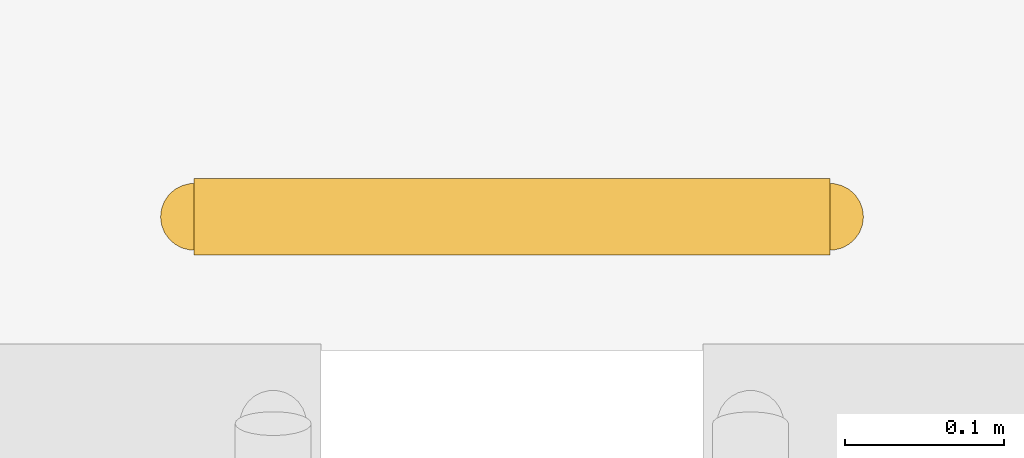
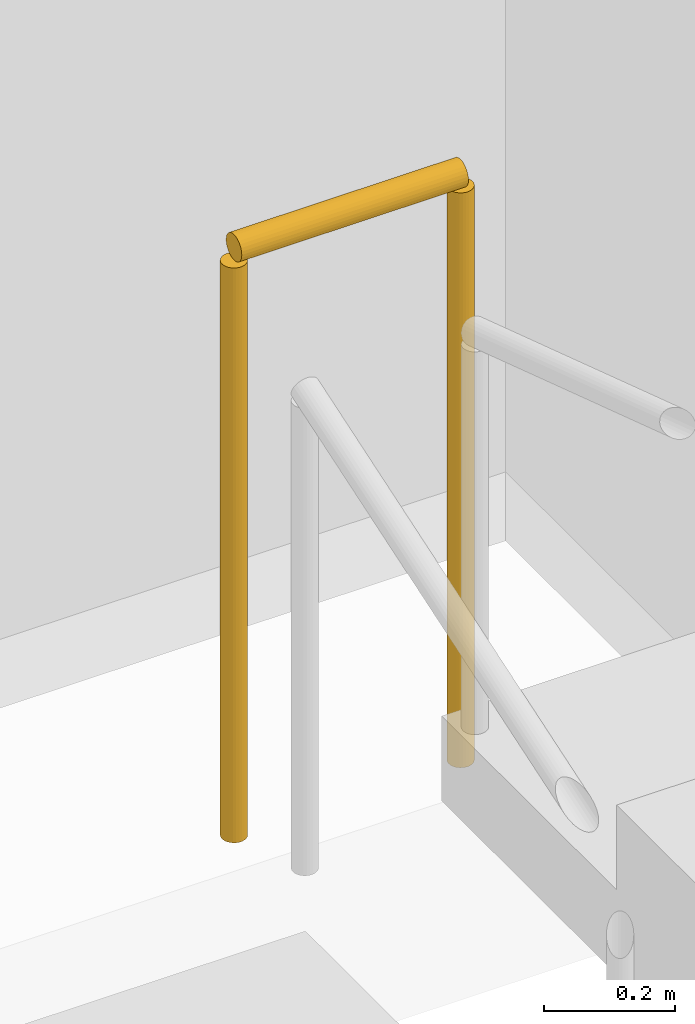
# One storey, part 21 of 21: 1 railing.
"""IFC4 building model written with IfcOpenShell, lengths in metres."""

import ifcopenshell
import ifcopenshell.guid

model = None  # the IFC model being written
_history = None  # IfcOwnerHistory: only IFC2X3 demands one
_inside = {}  # id of a spatial element -> (the spatial element, [elements in it])
_under = {}  # id of a project, library or spatial element -> (it, [spatial elements below it])
_declared = {}  # id of a project -> (the project, [libraries it declares])
_typed = {}  # id of a type object -> (the type object, [elements of that type])
_made_of = {}  # id of a material, layer set ... -> (it, [elements and type objects made of it])


def new_model(schema):
    """Start an empty IFC model of exactly this schema.

    Asked for "IFC4X3", IfcOpenShell would pick the latest addendum, in which some entities
    have other attributes; the version numbers below select the first issue.
    IFC2X3 requires an IfcOwnerHistory on every rooted entity: one is made here for all.
    """
    global model, _history
    if schema == "IFC4X3":
        model = ifcopenshell.file(schema_version=(4, 3, 0, 0))
    else:
        model = ifcopenshell.file(schema=schema)
    _inside.clear()
    _under.clear()
    _declared.clear()
    _typed.clear()
    _made_of.clear()
    _history = None
    if model.schema == "IFC2X3":
        org = make("IfcOrganization", Name="unknown")
        user = make(
            "IfcPersonAndOrganization",
            ThePerson=make("IfcPerson", FamilyName="unknown"),
            TheOrganization=org,
        )
        app = make(
            "IfcApplication",
            ApplicationDeveloper=org,
            Version="unknown",
            ApplicationFullName="unknown",
            ApplicationIdentifier="unknown",
        )
        _history = make(
            "IfcOwnerHistory",
            OwningUser=user,
            OwningApplication=app,
            ChangeAction="ADDED",
            CreationDate=0,
        )
    return model


def make(cls, **values):
    """One entity of the class cls with the attributes given. An attribute that is None is left unset."""
    return model.create_entity(
        cls, **{name: value for name, value in values.items() if value is not None}
    )


def rooted(cls, **values):
    """An entity with a GlobalId (a new one), such as an element, a storey or a relation."""
    return make(cls, GlobalId=ifcopenshell.guid.new(), OwnerHistory=_history, **values)


def si_unit(unit_type, name, prefix=None):
    """IfcSIUnit, for example si_unit("LENGTHUNIT", "METRE", prefix="MILLI")."""
    return make("IfcSIUnit", UnitType=unit_type, Prefix=prefix, Name=name)


def assignment(units):
    """IfcUnitAssignment: the units of a project."""
    return None if units is None else make("IfcUnitAssignment", Units=units)


def point(xyz):
    """IfcCartesianPoint."""
    return None if xyz is None else make("IfcCartesianPoint", Coordinates=xyz)


def direction(xyz):
    """IfcDirection."""
    return None if xyz is None else make("IfcDirection", DirectionRatios=xyz)


def frame(location, z_axis=None, x_axis=None):
    """IfcAxis2Placement3D, a coordinate frame: its origin and axes. An axis left out is left unset."""
    return make(
        "IfcAxis2Placement3D",
        Location=point(location),
        Axis=direction(z_axis),
        RefDirection=direction(x_axis),
    )


def frame_2d(location, x_axis=None):
    """IfcAxis2Placement2D, a coordinate frame in the plane: its origin and x axis."""
    return make(
        "IfcAxis2Placement2D", Location=point(location), RefDirection=direction(x_axis)
    )


def origin():
    """The frame at (0, 0, 0) with its axes left unset."""
    return frame((0.0, 0.0, 0.0))


def origin_2d():
    """The frame at (0, 0) in the plane with its x axis left unset."""
    return frame_2d((0.0, 0.0))


def place(relative_to, where):
    """IfcLocalPlacement: puts the frame where relative to a parent placement (None: the world)."""
    return make(
        "IfcLocalPlacement", PlacementRelTo=relative_to, RelativePlacement=where
    )


def context(
    kind, dimensions, precision=None, world=None, true_north=None, identifier=None
):
    """IfcGeometricRepresentationContext, for example the 3D "Model" context."""
    return make(
        "IfcGeometricRepresentationContext",
        ContextIdentifier=identifier,
        ContextType=kind,
        CoordinateSpaceDimension=dimensions,
        Precision=precision,
        WorldCoordinateSystem=world,
        TrueNorth=true_north,
    )


def subcontext(parent, identifier, kind, view, scale=None):
    """IfcGeometricRepresentationSubContext, for example "Body" below "Model"."""
    return make(
        "IfcGeometricRepresentationSubContext",
        ContextIdentifier=identifier,
        ContextType=kind,
        ParentContext=parent,
        TargetScale=scale,
        TargetView=view,
    )


def project(units=None, contexts=None):
    """IfcProject with its units and contexts."""
    return rooted(
        "IfcProject",
        Name="project",
        RepresentationContexts=contexts,
        UnitsInContext=assignment(units),
    )


def spatial(cls, under=None, at=None, **own):
    """A site, building, storey or space (cls), placed at a placement, below another one or the project."""
    s = rooted(cls, ObjectPlacement=at, **own)
    if under is not None:
        _under.setdefault(under.id(), (under, []))[1].append(s)
    return s


def profile(cls, at=None, kind="AREA", **sizes):
    """A parametric profile (cls). Its sizes go by their IFC names, for example OverallWidth=200.0."""
    return make(cls, ProfileType=kind, Position=at, **sizes)


def circle(**sizes):
    """IfcCircleProfileDef."""
    return profile("IfcCircleProfileDef", **sizes)


def extrude(swept, where, along, depth):
    """IfcExtrudedAreaSolid: the profile swept, set in the frame where, extruded along a direction by depth."""
    return make(
        "IfcExtrudedAreaSolid",
        SweptArea=swept,
        Position=where,
        ExtrudedDirection=direction(along),
        Depth=depth,
    )


def shape(context_of_items, identifier, shape_type, items):
    """IfcShapeRepresentation: the items that make up one representation, for example the "Body"."""
    return make(
        "IfcShapeRepresentation",
        ContextOfItems=context_of_items,
        RepresentationIdentifier=identifier,
        RepresentationType=shape_type,
        Items=items,
    )


def material(Name=None, Category=None):
    """IfcMaterial."""
    return make("IfcMaterial", Name=Name, Category=Category)


def layer(
    of_material, thickness, ventilated=None, Name=None, Category=None, Priority=None
):
    """IfcMaterialLayer: one layer of a wall or slab, of a material (None: an air gap)."""
    return make(
        "IfcMaterialLayer",
        Material=of_material,
        LayerThickness=thickness,
        IsVentilated=ventilated,
        Name=Name,
        Category=Category,
        Priority=Priority,
    )


def layer_set(layers, Name=None):
    """IfcMaterialLayerSet."""
    return make("IfcMaterialLayerSet", MaterialLayers=layers, LayerSetName=Name)


def made_of(thing, what):
    """Note that an element or type object is made of a material, layer set ...; save() writes the relation."""
    if what is not None:
        _made_of.setdefault(what.id(), (what, []))[1].append(thing)
    return thing


def type_object(cls, material=None, **own):
    """A type object (cls), such as IfcWallType, which elements share."""
    return made_of(rooted(cls, **own), material)


def element(
    cls,
    number,
    at=None,
    inside=None,
    cuts=None,
    type_object=None,
    material=None,
    context=None,
    identifier="Body",
    shape_type=None,
    held_by="IfcProductDefinitionShape",
    body=None,
    shapes=None,
    **own,
):
    """One element of the class cls, such as IfcWall. Its Tag is "e" and its number.

    at: its placement. inside: the storey or other place that contains it. cuts: it is an
    opening in that element (IfcRelVoidsElement). A single representation is given by context,
    identifier, shape_type and body (its items); several are given by shapes. held_by: the class
    of the entity that holds the representations. save() writes the other relations.
    """
    e = rooted(cls, Tag="e%d" % number, ObjectPlacement=at, **own)
    if body is not None:
        shapes = [shape(context, identifier, shape_type, body)]
    if shapes is not None:
        e.Representation = make(held_by, Representations=shapes)
    if inside is not None:
        _inside.setdefault(inside.id(), (inside, []))[1].append(e)
    if cuts is not None:
        rooted(
            "IfcRelVoidsElement", RelatingBuildingElement=cuts, RelatedOpeningElement=e
        )
    if type_object is not None:
        _typed.setdefault(type_object.id(), (type_object, []))[1].append(e)
    return made_of(e, material)


def aggregate(whole, parts):
    """IfcRelAggregates: a whole, such as a stair, and the parts it consists of."""
    return rooted("IfcRelAggregates", RelatingObject=whole, RelatedObjects=parts)


def save(model, path):
    """Write the relations noted so far, then the file.

    IfcRelAggregates (storeys below a building ...), IfcRelContainedInSpatialStructure (elements
    in a storey), IfcRelDefinesByType, IfcRelAssociatesMaterial and IfcRelDeclares: one each for
    every whole, place, type object, material and project.
    """
    for whole, parts in _under.values():
        aggregate(whole, parts)
    for where, things in _inside.values():
        rooted(
            "IfcRelContainedInSpatialStructure",
            RelatedElements=things,
            RelatingStructure=where,
        )
    for kind, things in _typed.values():
        rooted("IfcRelDefinesByType", RelatedObjects=things, RelatingType=kind)
    for what, things in _made_of.values():
        rooted("IfcRelAssociatesMaterial", RelatedObjects=things, RelatingMaterial=what)
    for by, libraries in _declared.values():
        rooted("IfcRelDeclares", RelatingContext=by, RelatedDefinitions=libraries)
    model.write(path)


model = new_model("IFC4")

# Units and contexts
model_context = context("Model", 3, precision=1e-05, world=origin(), true_north=direction((0.0, 1.0)))
body_context = subcontext(model_context, "Body", "Model", "MODEL_VIEW")
ifc_project = project(units=[si_unit("LENGTHUNIT", "METRE"), si_unit("AREAUNIT", "SQUARE_METRE"), si_unit("VOLUMEUNIT", "CUBIC_METRE"), si_unit("PLANEANGLEUNIT", "RADIAN"), si_unit("MASSUNIT", "GRAM", prefix="KILO")], contexts=[model_context])

# Site, building, storey
site_placement = place(None, origin())
site = spatial("IfcSite", under=ifc_project, at=site_placement, CompositionType="ELEMENT")
building_placement = place(site_placement, origin())
building = spatial("IfcBuilding", under=site, at=building_placement, Name="Girod Span Mobility Hub", CompositionType="ELEMENT")
storey_placement = place(building_placement, frame((0.0, 0.0, 17.199951171875)))
storey = spatial("IfcBuildingStorey", under=building, at=storey_placement, Name="L04", CompositionType="ELEMENT", Elevation=17.199951171875)

# Railing
ifc_material = material(Name="Painted Galvanised Steel", Category="steel")
ifc_layer = layer(ifc_material, 0.06494140625)
ifc_layer_set = layer_set([ifc_layer], Name="Painted Galvanised Steel")
railing_type = type_object("IfcRailingType", Name="RL-GRD-1120", PredefinedType="GUARDRAIL", material=ifc_layer_set)
railing_placement = place(storey_placement, frame((110.10009765625, 65.77001953125, 1.900146484375)))
element("IfcRailing", 1, at=railing_placement, inside=storey, type_object=railing_type, Name="Stair ST-2 Half-Landing Well Guard L04", PredefinedType="GUARDRAIL", context=body_context, shape_type="SweptSolid", body=[
    extrude(circle(Radius=0.02392578125, at=origin_2d()), frame((0.0, 0.0, 1.09619140625), z_axis=(1.0, 0.0, 0.0), x_axis=(0.0, 1.0, 0.0)), (0.0, 0.0, 1.0), 0.39990234375),
    extrude(circle(Radius=0.02099609375, at=origin_2d()), origin(), (0.0, 0.0, 1.0), 1.072021484375),
    extrude(circle(Radius=0.02099609375, at=origin_2d()), frame((0.39990234375, 0.0, 0.0)), (0.0, 0.0, 1.0), 1.072021484375),
])

save(model, "model.ifc")
